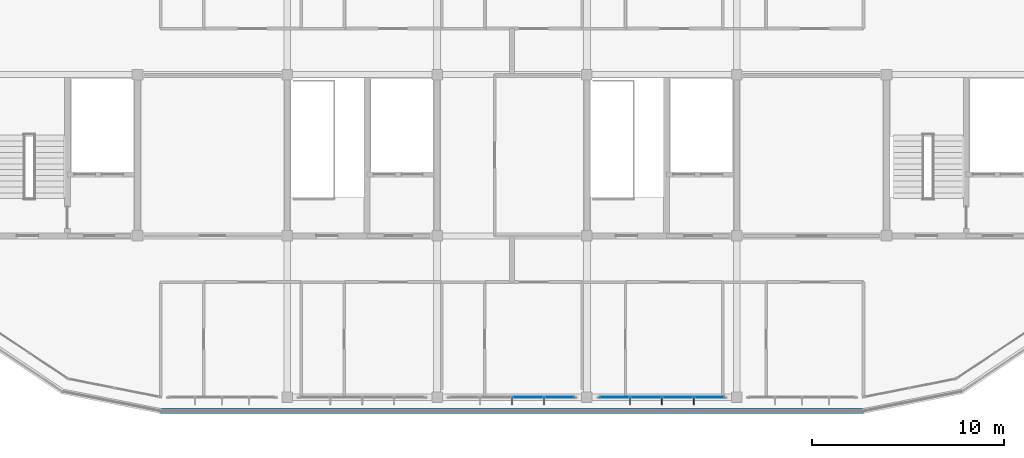
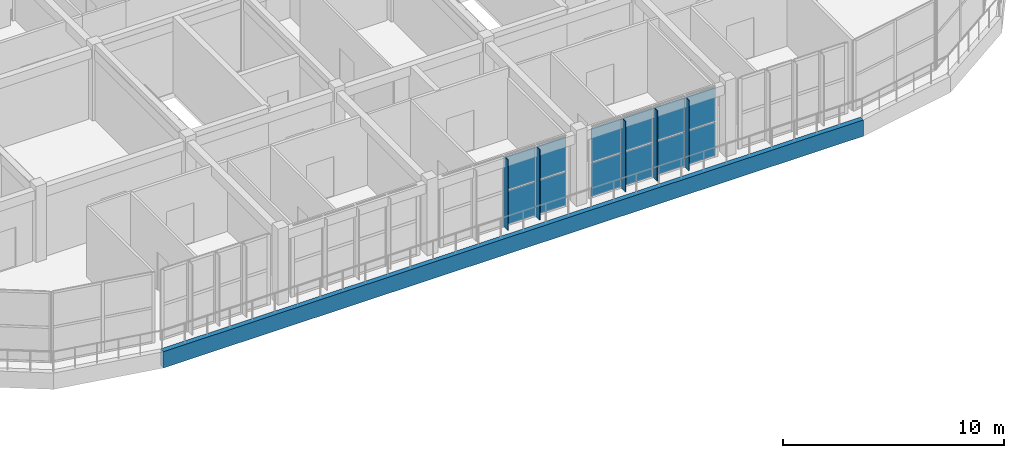
# One storey, part 24 of 33: 18 plates, 2 elements without a shape of their own.
"""IFC4 building model written with IfcOpenShell, lengths in metres."""

from ifc_helpers import new_model, si_unit, direction, frame, origin, origin_2d, place, context, subcontext, project, spatial, polyline, rectangle, outline, extrude, material, layer, layer_set, type_object, element, aggregate, save


model = new_model("IFC4")

# Units and contexts
model_context = context("Model", 3, precision=1e-05, world=origin(), true_north=direction((0.0, 1.0)))
body_context = subcontext(model_context, "Body", "Model", "MODEL_VIEW")
ifc_project = project(units=[si_unit("LENGTHUNIT", "METRE"), si_unit("AREAUNIT", "SQUARE_METRE"), si_unit("VOLUMEUNIT", "CUBIC_METRE"), si_unit("PLANEANGLEUNIT", "RADIAN"), si_unit("MASSUNIT", "GRAM", prefix="KILO")], contexts=[model_context])

# Site, building, storey
site_placement = place(None, origin())
site = spatial("IfcSite", under=ifc_project, at=site_placement, CompositionType="ELEMENT")
building_placement = place(site_placement, origin())
building = spatial("IfcBuilding", under=site, at=building_placement, Name="Zizhar Promenade General Hospital", CompositionType="ELEMENT")
storey_placement = place(building_placement, frame((0.0, 0.0, 39.0)))
storey = spatial("IfcBuildingStorey", under=building, at=storey_placement, Name="L09", CompositionType="ELEMENT", Elevation=39.0)

# Curtain wall, plates
ifc_material_1 = material(Name="Anodised aluminium 6063-T6 and low-E glass", Category="aluminium")
ifc_layer_1 = layer(ifc_material_1, 0.159912109375)
ifc_layer_set_1 = layer_set([ifc_layer_1], Name="Anodised aluminium 6063-T6 and low-E glass")
curtain_wall_type = type_object("IfcCurtainWallType", Name="CW-WARD-RIB", PredefinedType="NOTDEFINED", material=ifc_layer_set_1)
curtain_wall_1_placement = place(storey_placement, origin())
curtain_wall_1 = element("IfcCurtainWall", 1, at=curtain_wall_1_placement, inside=storey, type_object=curtain_wall_type, Name="Ward Ribbon Curtain Wall L09-17-1", PredefinedType="NOTDEFINED")
ifc_material_2 = material(Name="Low-E solar-control glass", Category="glass")
ifc_layer_2 = layer(ifc_material_2, 0.031982421875)
ifc_layer_set_2 = layer_set([ifc_layer_2], Name="Low-E solar-control glass")
plate_type_1 = type_object("IfcPlateType", Name="CWP-GLZ-32", PredefinedType="CURTAIN_PANEL", material=ifc_layer_set_2)
plate_1_placement = place(storey_placement, frame((84.3701171875, 0.0, 0.06005859375), z_axis=(0.0, 0.0, 1.0), x_axis=(-1.0, 0.0, 0.0)))
plate_1 = element("IfcPlate", 2, at=plate_1_placement, type_object=plate_type_1, Name="CW-13 panel 1.1", PredefinedType="CURTAIN_PANEL", context=body_context, shape_type="SweptSolid", body=[
    extrude(rectangle(XDim=1.5400390625, YDim=0.031982421875, at=origin_2d()), origin(), (0.0, 0.0, 1.0), 1.860107421875),
])
plate_2_placement = place(storey_placement, frame((84.3701171875, 0.0, 1.97998046875), z_axis=(0.0, 0.0, 1.0), x_axis=(-1.0, 0.0, 0.0)))
plate_2 = element("IfcPlate", 3, at=plate_2_placement, type_object=plate_type_1, Name="CW-13 panel 1.2", PredefinedType="CURTAIN_PANEL", context=body_context, shape_type="SweptSolid", body=[
    extrude(rectangle(XDim=1.5400390625, YDim=0.031982421875, at=origin_2d()), origin(), (0.0, 0.0, 1.0), 1.860107421875),
])
plate_3_placement = place(storey_placement, frame((82.72998046875, 0.0, 0.06005859375), z_axis=(0.0, 0.0, 1.0), x_axis=(-1.0, 0.0, 0.0)))
plate_3 = element("IfcPlate", 4, at=plate_3_placement, type_object=plate_type_1, Name="CW-13 panel 2.1", PredefinedType="CURTAIN_PANEL", context=body_context, shape_type="SweptSolid", body=[
    extrude(rectangle(XDim=1.580078125, YDim=0.031982421875, at=origin_2d()), origin(), (0.0, 0.0, 1.0), 1.860107421875),
])
plate_4_placement = place(storey_placement, frame((82.72998046875, 0.0, 1.97998046875), z_axis=(0.0, 0.0, 1.0), x_axis=(-1.0, 0.0, 0.0)))
plate_4 = element("IfcPlate", 5, at=plate_4_placement, type_object=plate_type_1, Name="CW-13 panel 2.2", PredefinedType="CURTAIN_PANEL", context=body_context, shape_type="SweptSolid", body=[
    extrude(rectangle(XDim=1.580078125, YDim=0.031982421875, at=origin_2d()), origin(), (0.0, 0.0, 1.0), 1.860107421875),
])
plate_5_placement = place(storey_placement, frame((81.070068359375, 0.0, 0.06005859375), z_axis=(0.0, 0.0, 1.0), x_axis=(-1.0, 0.0, 0.0)))
plate_5 = element("IfcPlate", 6, at=plate_5_placement, type_object=plate_type_1, Name="CW-13 panel 3.1", PredefinedType="CURTAIN_PANEL", context=body_context, shape_type="SweptSolid", body=[
    extrude(rectangle(XDim=1.580078125, YDim=0.031982421875, at=origin_2d()), origin(), (0.0, 0.0, 1.0), 1.860107421875),
])
plate_6_placement = place(storey_placement, frame((81.070068359375, 0.0, 1.97998046875), z_axis=(0.0, 0.0, 1.0), x_axis=(-1.0, 0.0, 0.0)))
plate_6 = element("IfcPlate", 7, at=plate_6_placement, type_object=plate_type_1, Name="CW-13 panel 3.2", PredefinedType="CURTAIN_PANEL", context=body_context, shape_type="SweptSolid", body=[
    extrude(rectangle(XDim=1.580078125, YDim=0.031982421875, at=origin_2d()), origin(), (0.0, 0.0, 1.0), 1.860107421875),
])
plate_7_placement = place(storey_placement, frame((79.429931640625, 0.0, 0.06005859375), z_axis=(0.0, 0.0, 1.0), x_axis=(-1.0, 0.0, 0.0)))
plate_7 = element("IfcPlate", 8, at=plate_7_placement, type_object=plate_type_1, Name="CW-13 panel 4.1", PredefinedType="CURTAIN_PANEL", context=body_context, shape_type="SweptSolid", body=[
    extrude(rectangle(XDim=1.5400390625, YDim=0.031982421875, at=origin_2d()), origin(), (0.0, 0.0, 1.0), 1.860107421875),
])
plate_8_placement = place(storey_placement, frame((79.429931640625, 0.0, 1.97998046875), z_axis=(0.0, 0.0, 1.0), x_axis=(-1.0, 0.0, 0.0)))
plate_8 = element("IfcPlate", 9, at=plate_8_placement, type_object=plate_type_1, Name="CW-13 panel 4.2", PredefinedType="CURTAIN_PANEL", context=body_context, shape_type="SweptSolid", body=[
    extrude(rectangle(XDim=1.5400390625, YDim=0.031982421875, at=origin_2d()), origin(), (0.0, 0.0, 1.0), 1.860107421875),
])
aggregate(curtain_wall_1, [plate_1, plate_2, plate_3, plate_4, plate_5, plate_6, plate_7, plate_8])

curtain_wall_2_placement = place(storey_placement, origin())
curtain_wall_2 = element("IfcCurtainWall", 10, at=curtain_wall_2_placement, inside=storey, type_object=curtain_wall_type, Name="Ward Ribbon Curtain Wall L09-17-2", PredefinedType="NOTDEFINED")
plate_9_placement = place(storey_placement, frame((76.570068359375, 0.0, 0.06005859375), z_axis=(0.0, 0.0, 1.0), x_axis=(-1.0, 0.0, 0.0)))
plate_9 = element("IfcPlate", 11, at=plate_9_placement, type_object=plate_type_1, Name="CW-13 panel 1.1", PredefinedType="CURTAIN_PANEL", context=body_context, shape_type="SweptSolid", body=[
    extrude(rectangle(XDim=1.5400390625, YDim=0.031982421875, at=origin_2d()), origin(), (0.0, 0.0, 1.0), 1.860107421875),
])
plate_10_placement = place(storey_placement, frame((76.570068359375, 0.0, 1.97998046875), z_axis=(0.0, 0.0, 1.0), x_axis=(-1.0, 0.0, 0.0)))
plate_10 = element("IfcPlate", 12, at=plate_10_placement, type_object=plate_type_1, Name="CW-13 panel 1.2", PredefinedType="CURTAIN_PANEL", context=body_context, shape_type="SweptSolid", body=[
    extrude(rectangle(XDim=1.5400390625, YDim=0.031982421875, at=origin_2d()), origin(), (0.0, 0.0, 1.0), 1.860107421875),
])
plate_11_placement = place(storey_placement, frame((74.929931640625, 0.0, 0.06005859375), z_axis=(0.0, 0.0, 1.0), x_axis=(-1.0, 0.0, 0.0)))
plate_11 = element("IfcPlate", 13, at=plate_11_placement, type_object=plate_type_1, Name="CW-13 panel 2.1", PredefinedType="CURTAIN_PANEL", context=body_context, shape_type="SweptSolid", body=[
    extrude(rectangle(XDim=1.580078125, YDim=0.031982421875, at=origin_2d()), origin(), (0.0, 0.0, 1.0), 1.860107421875),
])
plate_12_placement = place(storey_placement, frame((74.929931640625, 0.0, 1.97998046875), z_axis=(0.0, 0.0, 1.0), x_axis=(-1.0, 0.0, 0.0)))
plate_12 = element("IfcPlate", 14, at=plate_12_placement, type_object=plate_type_1, Name="CW-13 panel 2.2", PredefinedType="CURTAIN_PANEL", context=body_context, shape_type="SweptSolid", body=[
    extrude(rectangle(XDim=1.580078125, YDim=0.031982421875, at=origin_2d()), origin(), (0.0, 0.0, 1.0), 1.860107421875),
])
aggregate(curtain_wall_2, [plate_9, plate_10, plate_11, plate_12])

# Plates
ifc_material_3 = material(Name="Anodised aluminium 6063-T6", Category="aluminium")
ifc_layer_3 = layer(ifc_material_3, 0.035888671875)
ifc_layer_set_3 = layer_set([ifc_layer_3], Name="Anodised aluminium 6063-T6")
plate_type_2 = type_object("IfcPlateType", Name="FIN-ALU-380", PredefinedType="USERDEFINED", material=ifc_layer_set_3)
plate_13_placement = place(storey_placement, origin())
element("IfcPlate", 15, at=plate_13_placement, inside=storey, type_object=plate_type_2, Name="Ward Ribbon Curtain Wall L09-17-1 Solar Fin 1", ObjectType="SOLAR_SHADE", PredefinedType="USERDEFINED", context=body_context, shape_type="SweptSolid", body=[
    extrude(outline(polyline([(83.577880859375, 0.0), (83.5419921875, 0.0), (83.5419921875, -0.3798828125), (83.577880859375, -0.3798828125), (83.577880859375, 0.0)])), origin(), (0.0, 0.0, 1.0), 3.89990234375),
])
plate_14_placement = place(storey_placement, origin())
element("IfcPlate", 16, at=plate_14_placement, inside=storey, type_object=plate_type_2, Name="Ward Ribbon Curtain Wall L09-17-1 Solar Fin 2", ObjectType="SOLAR_SHADE", PredefinedType="USERDEFINED", context=body_context, shape_type="SweptSolid", body=[
    extrude(outline(polyline([(81.91796875, 0.0), (81.882080078125, 0.0), (81.882080078125, -0.3798828125), (81.91796875, -0.3798828125), (81.91796875, 0.0)])), origin(), (0.0, 0.0, 1.0), 3.89990234375),
])
plate_15_placement = place(storey_placement, origin())
element("IfcPlate", 17, at=plate_15_placement, inside=storey, type_object=plate_type_2, Name="Ward Ribbon Curtain Wall L09-17-1 Solar Fin 3", ObjectType="SOLAR_SHADE", PredefinedType="USERDEFINED", context=body_context, shape_type="SweptSolid", body=[
    extrude(outline(polyline([(80.258056640625, 0.0), (80.221923828125, 0.0), (80.221923828125, -0.3798828125), (80.258056640625, -0.3798828125), (80.258056640625, 0.0)])), origin(), (0.0, 0.0, 1.0), 3.89990234375),
])
plate_16_placement = place(storey_placement, origin())
element("IfcPlate", 18, at=plate_16_placement, inside=storey, type_object=plate_type_2, Name="Ward Ribbon Curtain Wall L09-17-2 Solar Fin 1", ObjectType="SOLAR_SHADE", PredefinedType="USERDEFINED", context=body_context, shape_type="SweptSolid", body=[
    extrude(outline(polyline([(75.778076171875, 0.0), (75.741943359375, 0.0), (75.741943359375, -0.3798828125), (75.778076171875, -0.3798828125), (75.778076171875, 0.0)])), origin(), (0.0, 0.0, 1.0), 3.89990234375),
])
plate_17_placement = place(storey_placement, origin())
element("IfcPlate", 19, at=plate_17_placement, inside=storey, type_object=plate_type_2, Name="Ward Ribbon Curtain Wall L09-17-2 Solar Fin 2", ObjectType="SOLAR_SHADE", PredefinedType="USERDEFINED", context=body_context, shape_type="SweptSolid", body=[
    extrude(outline(polyline([(74.117919921875, 0.0), (74.08203125, 0.0), (74.08203125, -0.3798828125), (74.117919921875, -0.3798828125), (74.117919921875, 0.0)])), origin(), (0.0, 0.0, 1.0), 3.89990234375),
])
ifc_material_4 = material(Name="Precast concrete C40/50", Category="concrete")
ifc_layer_4 = layer(ifc_material_4, 0.260009765625)
ifc_layer_set_4 = layer_set([ifc_layer_4], Name="Precast concrete C40/50")
plate_type_3 = type_object("IfcPlateType", Name="PL-PC-BAND950", PredefinedType="USERDEFINED", material=ifc_layer_set_4)
plate_18_placement = place(storey_placement, frame((0.0, 0.0, -0.89990234375)))
element("IfcPlate", 20, at=plate_18_placement, inside=storey, type_object=plate_type_3, Name="Ward Precast Slab Band L09-18", ObjectType="FASCIA_BAND", PredefinedType="USERDEFINED", context=body_context, shape_type="SweptSolid", body=[
    extrude(outline(polyline([(55.800048828125, -0.85009765625), (92.39990234375, -0.85009765625), (92.39990234375, -0.590087890625), (55.800048828125, -0.590087890625), (55.800048828125, -0.85009765625)])), origin(), (0.0, 0.0, 1.0), 0.89990234375),
])

save(model, "model.ifc")
